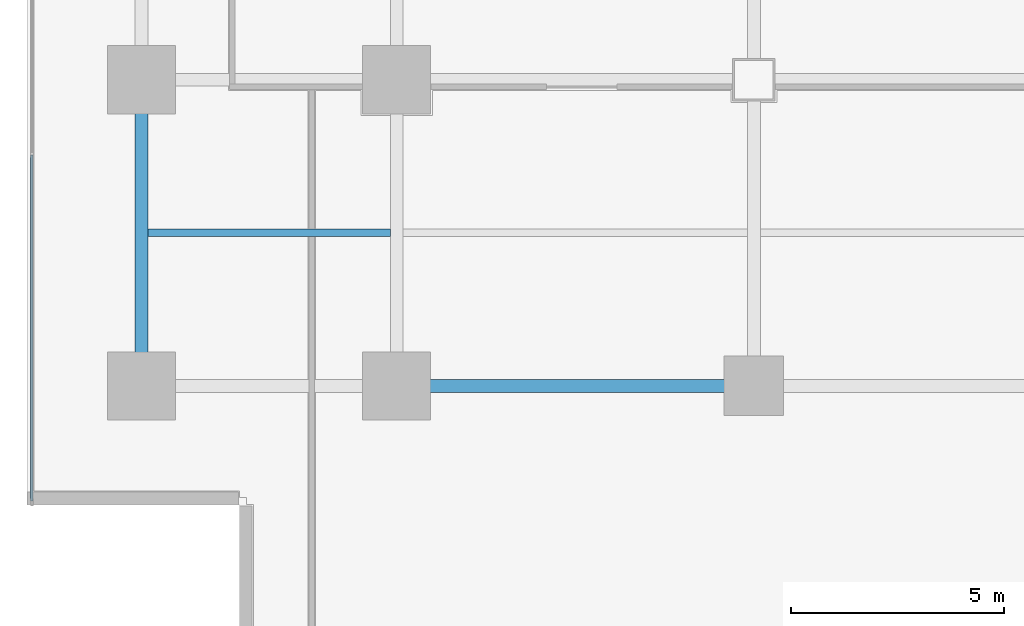
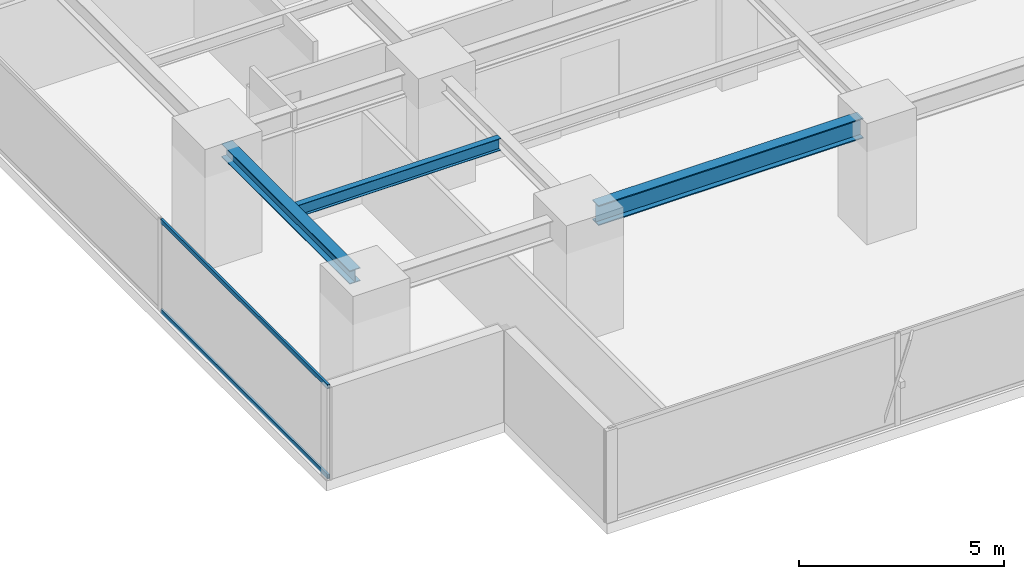
# One storey, part 3 of 36: 3 beams, 2 members, 1 element without a shape of its own.
"""IFC4 building model written with IfcOpenShell, lengths in metres."""

import ifcopenshell
import ifcopenshell.guid

model = None  # the IFC model being written
_history = None  # IfcOwnerHistory: only IFC2X3 demands one
_inside = {}  # id of a spatial element -> (the spatial element, [elements in it])
_under = {}  # id of a project, library or spatial element -> (it, [spatial elements below it])
_declared = {}  # id of a project -> (the project, [libraries it declares])
_typed = {}  # id of a type object -> (the type object, [elements of that type])
_made_of = {}  # id of a material, layer set ... -> (it, [elements and type objects made of it])


def new_model(schema):
    """Start an empty IFC model of exactly this schema.

    Asked for "IFC4X3", IfcOpenShell would pick the latest addendum, in which some entities
    have other attributes; the version numbers below select the first issue.
    IFC2X3 requires an IfcOwnerHistory on every rooted entity: one is made here for all.
    """
    global model, _history
    if schema == "IFC4X3":
        model = ifcopenshell.file(schema_version=(4, 3, 0, 0))
    else:
        model = ifcopenshell.file(schema=schema)
    _inside.clear()
    _under.clear()
    _declared.clear()
    _typed.clear()
    _made_of.clear()
    _history = None
    if model.schema == "IFC2X3":
        org = make("IfcOrganization", Name="unknown")
        user = make(
            "IfcPersonAndOrganization",
            ThePerson=make("IfcPerson", FamilyName="unknown"),
            TheOrganization=org,
        )
        app = make(
            "IfcApplication",
            ApplicationDeveloper=org,
            Version="unknown",
            ApplicationFullName="unknown",
            ApplicationIdentifier="unknown",
        )
        _history = make(
            "IfcOwnerHistory",
            OwningUser=user,
            OwningApplication=app,
            ChangeAction="ADDED",
            CreationDate=0,
        )
    return model


def make(cls, **values):
    """One entity of the class cls with the attributes given. An attribute that is None is left unset."""
    return model.create_entity(
        cls, **{name: value for name, value in values.items() if value is not None}
    )


def rooted(cls, **values):
    """An entity with a GlobalId (a new one), such as an element, a storey or a relation."""
    return make(cls, GlobalId=ifcopenshell.guid.new(), OwnerHistory=_history, **values)


def si_unit(unit_type, name, prefix=None):
    """IfcSIUnit, for example si_unit("LENGTHUNIT", "METRE", prefix="MILLI")."""
    return make("IfcSIUnit", UnitType=unit_type, Prefix=prefix, Name=name)


def assignment(units):
    """IfcUnitAssignment: the units of a project."""
    return None if units is None else make("IfcUnitAssignment", Units=units)


def point(xyz):
    """IfcCartesianPoint."""
    return None if xyz is None else make("IfcCartesianPoint", Coordinates=xyz)


def direction(xyz):
    """IfcDirection."""
    return None if xyz is None else make("IfcDirection", DirectionRatios=xyz)


def frame(location, z_axis=None, x_axis=None):
    """IfcAxis2Placement3D, a coordinate frame: its origin and axes. An axis left out is left unset."""
    return make(
        "IfcAxis2Placement3D",
        Location=point(location),
        Axis=direction(z_axis),
        RefDirection=direction(x_axis),
    )


def frame_2d(location, x_axis=None):
    """IfcAxis2Placement2D, a coordinate frame in the plane: its origin and x axis."""
    return make(
        "IfcAxis2Placement2D", Location=point(location), RefDirection=direction(x_axis)
    )


def origin():
    """The frame at (0, 0, 0) with its axes left unset."""
    return frame((0.0, 0.0, 0.0))


def origin_2d():
    """The frame at (0, 0) in the plane with its x axis left unset."""
    return frame_2d((0.0, 0.0))


def place(relative_to, where):
    """IfcLocalPlacement: puts the frame where relative to a parent placement (None: the world)."""
    return make(
        "IfcLocalPlacement", PlacementRelTo=relative_to, RelativePlacement=where
    )


def context(
    kind, dimensions, precision=None, world=None, true_north=None, identifier=None
):
    """IfcGeometricRepresentationContext, for example the 3D "Model" context."""
    return make(
        "IfcGeometricRepresentationContext",
        ContextIdentifier=identifier,
        ContextType=kind,
        CoordinateSpaceDimension=dimensions,
        Precision=precision,
        WorldCoordinateSystem=world,
        TrueNorth=true_north,
    )


def subcontext(parent, identifier, kind, view, scale=None):
    """IfcGeometricRepresentationSubContext, for example "Body" below "Model"."""
    return make(
        "IfcGeometricRepresentationSubContext",
        ContextIdentifier=identifier,
        ContextType=kind,
        ParentContext=parent,
        TargetScale=scale,
        TargetView=view,
    )


def project(units=None, contexts=None):
    """IfcProject with its units and contexts."""
    return rooted(
        "IfcProject",
        Name="project",
        RepresentationContexts=contexts,
        UnitsInContext=assignment(units),
    )


def spatial(cls, under=None, at=None, **own):
    """A site, building, storey or space (cls), placed at a placement, below another one or the project."""
    s = rooted(cls, ObjectPlacement=at, **own)
    if under is not None:
        _under.setdefault(under.id(), (under, []))[1].append(s)
    return s


def profile(cls, at=None, kind="AREA", **sizes):
    """A parametric profile (cls). Its sizes go by their IFC names, for example OverallWidth=200.0."""
    return make(cls, ProfileType=kind, Position=at, **sizes)


def hollow_rectangle(**sizes):
    """IfcRectangleHollowProfileDef."""
    return profile("IfcRectangleHollowProfileDef", **sizes)


def i_section(**sizes):
    """IfcIShapeProfileDef."""
    return profile("IfcIShapeProfileDef", **sizes)


def extrude(swept, where, along, depth):
    """IfcExtrudedAreaSolid: the profile swept, set in the frame where, extruded along a direction by depth."""
    return make(
        "IfcExtrudedAreaSolid",
        SweptArea=swept,
        Position=where,
        ExtrudedDirection=direction(along),
        Depth=depth,
    )


def shape(context_of_items, identifier, shape_type, items):
    """IfcShapeRepresentation: the items that make up one representation, for example the "Body"."""
    return make(
        "IfcShapeRepresentation",
        ContextOfItems=context_of_items,
        RepresentationIdentifier=identifier,
        RepresentationType=shape_type,
        Items=items,
    )


def source(mapping_origin, context_of_items, identifier, shape_type, items):
    """IfcRepresentationMap: a shape defined once, which mapped items show again and again."""
    return make(
        "IfcRepresentationMap",
        MappingOrigin=mapping_origin,
        MappedRepresentation=shape(context_of_items, identifier, shape_type, items),
    )


def transform(
    local_origin,
    x_axis=None,
    y_axis=None,
    z_axis=None,
    scale=None,
    scale2=None,
    scale3=None,
    uniform=True,
):
    """IfcCartesianTransformationOperator3D, or its non-uniform kind. x_axis, y_axis, z_axis: its Axis1, 2, 3."""
    if uniform:
        return make(
            "IfcCartesianTransformationOperator3D",
            Axis1=direction(x_axis),
            Axis2=direction(y_axis),
            LocalOrigin=point(local_origin),
            Scale=scale,
            Axis3=direction(z_axis),
        )
    return make(
        "IfcCartesianTransformationOperator3DnonUniform",
        Axis1=direction(x_axis),
        Axis2=direction(y_axis),
        LocalOrigin=point(local_origin),
        Scale=scale,
        Axis3=direction(z_axis),
        Scale2=scale2,
        Scale3=scale3,
    )


def mapped(mapping_source, mapping_target):
    """IfcMappedItem: shows the shape of a source again, moved by a transform."""
    return make(
        "IfcMappedItem", MappingSource=mapping_source, MappingTarget=mapping_target
    )


def material(Name=None, Category=None):
    """IfcMaterial."""
    return make("IfcMaterial", Name=Name, Category=Category)


def layer(
    of_material, thickness, ventilated=None, Name=None, Category=None, Priority=None
):
    """IfcMaterialLayer: one layer of a wall or slab, of a material (None: an air gap)."""
    return make(
        "IfcMaterialLayer",
        Material=of_material,
        LayerThickness=thickness,
        IsVentilated=ventilated,
        Name=Name,
        Category=Category,
        Priority=Priority,
    )


def layer_set(layers, Name=None):
    """IfcMaterialLayerSet."""
    return make("IfcMaterialLayerSet", MaterialLayers=layers, LayerSetName=Name)


def material_profile(
    of_material, cross_section, Name=None, Category=None, Priority=None
):
    """IfcMaterialProfile: a cross section and its material."""
    return make(
        "IfcMaterialProfile",
        Name=Name,
        Material=of_material,
        Profile=cross_section,
        Priority=Priority,
        Category=Category,
    )


def profile_set(profiles, Name=None, composite=None):
    """IfcMaterialProfileSet."""
    return make(
        "IfcMaterialProfileSet",
        Name=Name,
        MaterialProfiles=profiles,
        CompositeProfile=composite,
    )


def made_of(thing, what):
    """Note that an element or type object is made of a material, layer set ...; save() writes the relation."""
    if what is not None:
        _made_of.setdefault(what.id(), (what, []))[1].append(thing)
    return thing


def type_object(cls, material=None, **own):
    """A type object (cls), such as IfcWallType, which elements share."""
    return made_of(rooted(cls, **own), material)


def element(
    cls,
    number,
    at=None,
    inside=None,
    cuts=None,
    type_object=None,
    material=None,
    context=None,
    identifier="Body",
    shape_type=None,
    held_by="IfcProductDefinitionShape",
    body=None,
    shapes=None,
    **own,
):
    """One element of the class cls, such as IfcWall. Its Tag is "e" and its number.

    at: its placement. inside: the storey or other place that contains it. cuts: it is an
    opening in that element (IfcRelVoidsElement). A single representation is given by context,
    identifier, shape_type and body (its items); several are given by shapes. held_by: the class
    of the entity that holds the representations. save() writes the other relations.
    """
    e = rooted(cls, Tag="e%d" % number, ObjectPlacement=at, **own)
    if body is not None:
        shapes = [shape(context, identifier, shape_type, body)]
    if shapes is not None:
        e.Representation = make(held_by, Representations=shapes)
    if inside is not None:
        _inside.setdefault(inside.id(), (inside, []))[1].append(e)
    if cuts is not None:
        rooted(
            "IfcRelVoidsElement", RelatingBuildingElement=cuts, RelatedOpeningElement=e
        )
    if type_object is not None:
        _typed.setdefault(type_object.id(), (type_object, []))[1].append(e)
    return made_of(e, material)


def aggregate(whole, parts):
    """IfcRelAggregates: a whole, such as a stair, and the parts it consists of."""
    return rooted("IfcRelAggregates", RelatingObject=whole, RelatedObjects=parts)


def save(model, path):
    """Write the relations noted so far, then the file.

    IfcRelAggregates (storeys below a building ...), IfcRelContainedInSpatialStructure (elements
    in a storey), IfcRelDefinesByType, IfcRelAssociatesMaterial and IfcRelDeclares: one each for
    every whole, place, type object, material and project.
    """
    for whole, parts in _under.values():
        aggregate(whole, parts)
    for where, things in _inside.values():
        rooted(
            "IfcRelContainedInSpatialStructure",
            RelatedElements=things,
            RelatingStructure=where,
        )
    for kind, things in _typed.values():
        rooted("IfcRelDefinesByType", RelatedObjects=things, RelatingType=kind)
    for what, things in _made_of.values():
        rooted("IfcRelAssociatesMaterial", RelatedObjects=things, RelatingMaterial=what)
    for by, libraries in _declared.values():
        rooted("IfcRelDeclares", RelatingContext=by, RelatedDefinitions=libraries)
    model.write(path)


model = new_model("IFC4")

# Units and contexts
model_context = context("Model", 3, precision=1e-05, world=origin(), true_north=direction((0.0, 1.0)))
body_context = subcontext(model_context, "Body", "Model", "MODEL_VIEW")
ifc_project = project(units=[si_unit("LENGTHUNIT", "METRE"), si_unit("AREAUNIT", "SQUARE_METRE"), si_unit("VOLUMEUNIT", "CUBIC_METRE"), si_unit("PLANEANGLEUNIT", "RADIAN"), si_unit("MASSUNIT", "GRAM", prefix="KILO")], contexts=[model_context])

# Site, building, storey
site_placement = place(None, origin())
site = spatial("IfcSite", under=ifc_project, at=site_placement, CompositionType="ELEMENT")
building_placement = place(site_placement, origin())
building = spatial("IfcBuilding", under=site, at=building_placement, Name="Sumidabori Civic Tower", CompositionType="ELEMENT")
storey_placement = place(building_placement, frame((0.0, 0.0, 77.60009765625)))
storey = spatial("IfcBuildingStorey", under=building, at=storey_placement, Name="L19", CompositionType="ELEMENT", Elevation=77.60009765625)

# Beams
ifc_material_1 = material(Name="Steel SN490", Category="steel")
ifc_material_profile_1 = material_profile(ifc_material_1, i_section(OverallWidth=0.300048828125, OverallDepth=0.60009765625, WebThickness=0.015380859375, FlangeThickness=0.030029296875, at=origin_2d()), Name="HE 600 B")
ifc_profile_set_1 = profile_set([ifc_material_profile_1], Name="Steel SN490")
beam_type_1 = type_object("IfcBeamType", Name="BM-GIRD-600", PredefinedType="BEAM", material=ifc_profile_set_1)
shared_shape_1 = source(origin(), body_context, "Body", "SweptSolid", [
    extrude(i_section(OverallWidth=0.300048828125, OverallDepth=0.60009765625, WebThickness=0.015380859375, FlangeThickness=0.030029296875, at=origin_2d()), origin(), (0.0, 0.0, 1.0), 7.440185546875),
])
beam_1_placement = place(storey_placement, frame((-16.320068359375, -18.0, 3.059814453125), z_axis=(1.0, 0.0, 0.0), x_axis=(0.0, 1.0, 0.0)))
element("IfcBeam", 1, at=beam_1_placement, inside=storey, type_object=beam_type_1, Name="Primary Girder L19 GX-02", PredefinedType="BEAM", context=body_context, shape_type="MappedRepresentation", body=[
    mapped(shared_shape_1, transform((0.0, 0.0, 0.0), x_axis=(1.0, 0.0, 0.0), y_axis=(0.0, 1.0, 0.0), z_axis=(0.0, 0.0, 1.0), scale=1.0)),
])
ifc_material_profile_2 = material_profile(ifc_material_1, i_section(OverallWidth=0.300048828125, OverallDepth=0.39990234375, WebThickness=0.013427734375, FlangeThickness=0.02392578125, at=origin_2d()), Name="HE 400 B")
ifc_profile_set_2 = profile_set([ifc_material_profile_2], Name="Steel SN490")
beam_type_2 = type_object("IfcBeamType", Name="BM-GIRD-400", PredefinedType="BEAM", material=ifc_profile_set_2)
shared_shape_2 = source(origin(), body_context, "Body", "SweptSolid", [
    extrude(i_section(OverallWidth=0.300048828125, OverallDepth=0.39990234375, WebThickness=0.013427734375, FlangeThickness=0.02392578125, at=origin_2d()), origin(), (0.0, 0.0, 1.0), 6.239990234375),
])
beam_2_placement = place(storey_placement, frame((-22.800048828125, -17.52001953125, 3.159912109375), z_axis=(0.0, 1.0, 0.0), x_axis=(-1.0, 0.0, 0.0)))
element("IfcBeam", 2, at=beam_2_placement, inside=storey, type_object=beam_type_2, Name="Primary Girder L19 GY-21", PredefinedType="BEAM", context=body_context, shape_type="MappedRepresentation", body=[
    mapped(shared_shape_2, transform((0.0, 0.0, 0.0), x_axis=(1.0, 0.0, 0.0), y_axis=(0.0, 1.0, 0.0), z_axis=(0.0, 0.0, 1.0), scale=1.0)),
])
ifc_material_profile_3 = material_profile(ifc_material_1, i_section(OverallWidth=0.169921875, OverallDepth=0.360107421875, WebThickness=0.008056640625, FlangeThickness=0.0126953125, at=origin_2d()), Name="IPE 360")
ifc_profile_set_3 = profile_set([ifc_material_profile_3], Name="Steel SN490")
beam_type_3 = type_object("IfcBeamType", Name="BM-JST-360", PredefinedType="JOIST", material=ifc_profile_set_3)
shared_shape_3 = source(origin(), body_context, "Body", "SweptSolid", [
    extrude(i_section(OverallWidth=0.169921875, OverallDepth=0.360107421875, WebThickness=0.008056640625, FlangeThickness=0.0126953125, at=origin_2d()), origin(), (0.0, 0.0, 1.0), 5.699951171875),
])
beam_3_placement = place(storey_placement, frame((-22.64990234375, -14.39990234375, 3.179931640625), z_axis=(1.0, 0.0, 0.0), x_axis=(0.0, 1.0, 0.0)))
element("IfcBeam", 3, at=beam_3_placement, inside=storey, type_object=beam_type_3, Name="Outer Bay Floor Joist L19 JSTO-51", PredefinedType="JOIST", context=body_context, shape_type="MappedRepresentation", body=[
    mapped(shared_shape_3, transform((0.0, 0.0, 0.0), x_axis=(1.0, 0.0, 0.0), y_axis=(0.0, 1.0, 0.0), z_axis=(0.0, 0.0, 1.0), scale=1.0)),
])

# Curtain wall, members
ifc_material_2 = material(Name="Anodised Bronze Aluminium AW-6063-T6", Category="aluminium")
ifc_layer = layer(ifc_material_2, 0.179931640625, Name="Anodised Bronze Aluminium AW-6063-T6")
ifc_layer_set = layer_set([ifc_layer], Name="Anodised Bronze Aluminium AW-6063-T6")
curtain_wall_type = type_object("IfcCurtainWallType", Name="CW-SYS-3", PredefinedType="NOTDEFINED", material=ifc_layer_set)
curtain_wall_placement = place(storey_placement, origin())
curtain_wall = element("IfcCurtainWall", 4, at=curtain_wall_placement, inside=storey, type_object=curtain_wall_type, Name="Curtain Wall CW:L19:R10", PredefinedType="NOTDEFINED")
ifc_material_profile_4 = material_profile(ifc_material_2, hollow_rectangle(XDim=0.06005859375, YDim=0.1298828125, WallThickness=0.0048828125, at=origin_2d()), Name="ALU TRANSOM 130x60")
ifc_profile_set_4 = profile_set([ifc_material_profile_4], Name="Anodised Bronze Aluminium AW-6063-T6")
member_type = type_object("IfcMemberType", Name="CW-TRN-130", PredefinedType="USERDEFINED", material=ifc_profile_set_4)
shared_shape_4 = source(origin(), body_context, "Body", "SweptSolid", [
    extrude(hollow_rectangle(XDim=0.06005859375, YDim=0.1298828125, WallThickness=0.0048828125, at=origin_2d()), origin(), (0.0, 0.0, 1.0), 8.130615234375),
])
member_1_placement = place(storey_placement, frame((-25.3798828125, -12.574462890625, 0.02978515625), z_axis=(0.0, -1.0, 0.0), x_axis=(1.0, 0.0, 0.0)))
member_1 = element("IfcMember", 5, at=member_1_placement, type_object=member_type, Name="CW-3 transom 5.1", ObjectType="TRANSOM", PredefinedType="USERDEFINED", context=body_context, shape_type="MappedRepresentation", body=[
    mapped(shared_shape_4, transform((0.0, 0.0, 0.0), x_axis=(1.0, 0.0, 0.0), y_axis=(0.0, 1.0, 0.0), z_axis=(0.0, 0.0, 1.0), scale=1.0)),
])
member_2_placement = place(storey_placement, frame((-25.3798828125, -12.574462890625, 2.7099609375), z_axis=(0.0, -1.0, 0.0), x_axis=(1.0, 0.0, 0.0)))
member_2 = element("IfcMember", 6, at=member_2_placement, type_object=member_type, Name="CW-3 transom 5.2", ObjectType="TRANSOM", PredefinedType="USERDEFINED", context=body_context, shape_type="MappedRepresentation", body=[
    mapped(shared_shape_4, transform((0.0, 0.0, 0.0), x_axis=(1.0, 0.0, 0.0), y_axis=(0.0, 1.0, 0.0), z_axis=(0.0, 0.0, 1.0), scale=1.0)),
])
aggregate(curtain_wall, [member_1, member_2])

save(model, "model.ifc")
